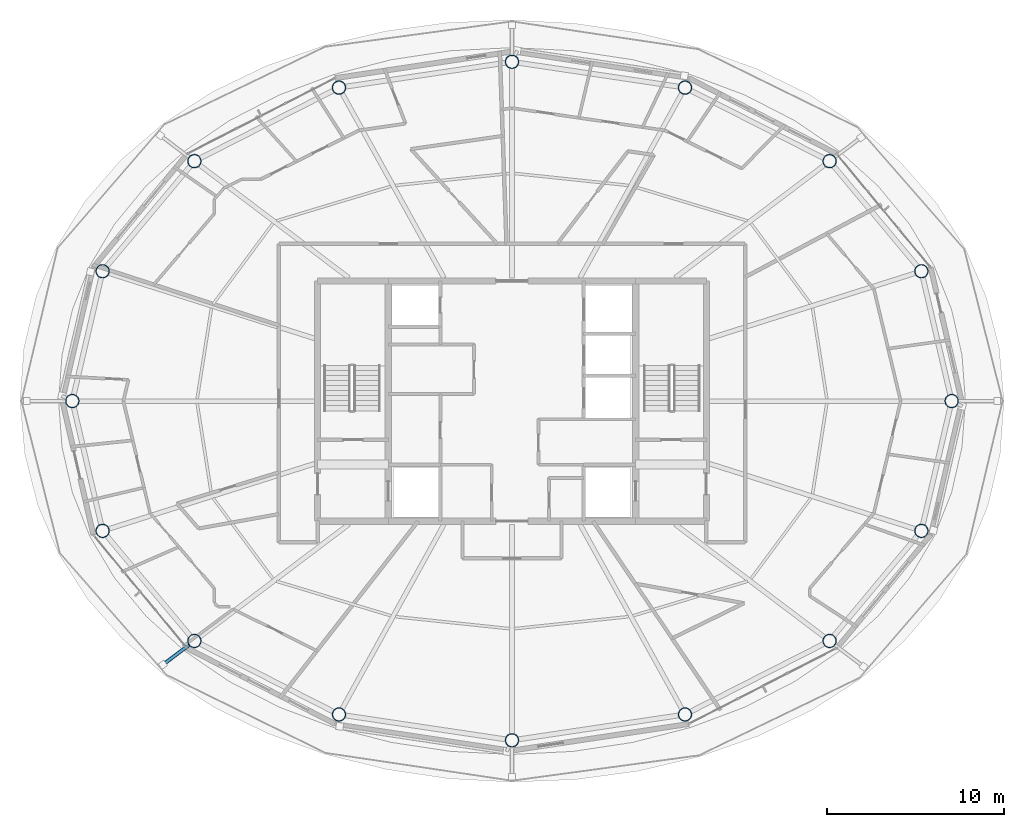
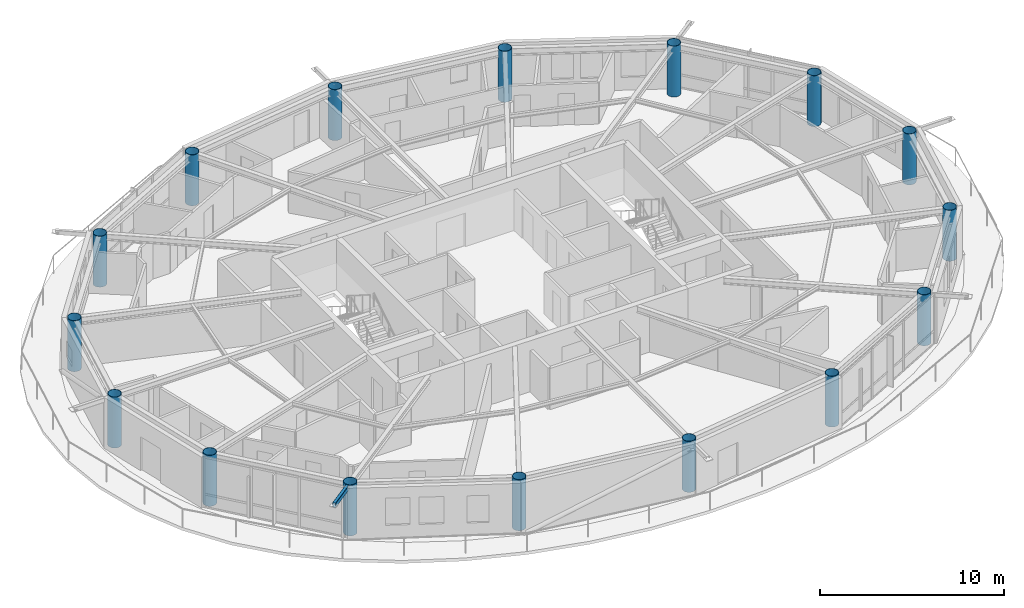
# One storey, part 1 of 22: 16 columns, 1 member.
"""IFC4 building model written with IfcOpenShell, lengths in metres."""

from ifc_helpers import new_model, si_unit, direction, frame, origin, origin_2d, place, context, subcontext, project, spatial, hollow_rectangle, hollow_circle, extrude, material, material_profile, profile_set, type_object, element, save


model = new_model("IFC4")

# Units and contexts
model_context = context("Model", 3, precision=1e-05, world=origin(), true_north=direction((0.0, 1.0)))
body_context = subcontext(model_context, "Body", "Model", "MODEL_VIEW")
ifc_project = project(units=[si_unit("LENGTHUNIT", "METRE"), si_unit("AREAUNIT", "SQUARE_METRE"), si_unit("VOLUMEUNIT", "CUBIC_METRE"), si_unit("PLANEANGLEUNIT", "RADIAN"), si_unit("MASSUNIT", "GRAM", prefix="KILO")], contexts=[model_context])

# Site, building, storey
site_placement = place(None, origin())
site = spatial("IfcSite", under=ifc_project, at=site_placement, CompositionType="ELEMENT")
building_placement = place(site_placement, origin())
building = spatial("IfcBuilding", under=site, at=building_placement, Name="Sarneth Arch Tower", CompositionType="ELEMENT")
storey_placement = place(building_placement, frame((0.0, 0.0, 287.39990234375)))
storey = spatial("IfcBuildingStorey", under=building, at=storey_placement, Name="L74", CompositionType="ELEMENT", Elevation=287.39990234375)

# Columns
ifc_material_1 = material(Name="Steel S355", Category="steel")
ifc_material_profile_1 = material_profile(ifc_material_1, hollow_circle(Radius=0.381103515625, WallThickness=0.02490234375, at=origin_2d()), Name="CHS762x25")
ifc_profile_set_1 = profile_set([ifc_material_profile_1], Name="Steel S355")
column_type = type_object("IfcColumnType", Name="COL-MEGA-762", PredefinedType="COLUMN", material=ifc_profile_set_1)
for number, where, z_axis, x_axis, name in (
    (1, (72.88330078125, 42.0, 0.0), (0.0, 0.0, 1.0), (1.0, 0.0, 0.0), "L74 Perimeter mega-column M01"),
    (2, (71.1689453125, 49.347412109375, 0.0), (0.0, 0.0, 1.0), (1.0, 0.0, 0.0), "L74 Perimeter mega-column M02"),
    (3, (65.975341796875, 55.576416015625, 0.0), (0.0, 0.0, 1.0), (1.0, 0.0, 0.0), "L74 Perimeter mega-column M03"),
    (4, (57.790771484375, 59.738525390625, 0.0), (0.0, 0.0, 1.0), (1.0, 0.0, 0.0), "L74 Perimeter mega-column M04"),
    (5, (48.0, 61.199951171875, 0.0), (0.0, 0.0, 1.0), (1.0, 0.0, 0.0), "L74 Perimeter mega-column M05"),
    (6, (38.209228515625, 59.738525390625, 0.0), (0.0, 0.0, 1.0), (1.0, 0.0, 0.0), "L74 Perimeter mega-column M06"),
    (7, (30.024658203125, 55.576416015625, 0.0), (0.0, 0.0, 1.0), (1.0, 0.0, 0.0), "L74 Perimeter mega-column M07"),
    (8, (24.8310546875, 49.347412109375, 0.0), (0.0, 0.0, 1.0), (1.0, 0.0, 0.0), "L74 Perimeter mega-column M08"),
    (9, (23.11669921875, 42.0, 0.0), (0.0, 0.0, 1.0), (1.0, 0.0, 0.0), "L74 Perimeter mega-column M09"),
    (10, (24.8310546875, 34.652587890625, 0.0), (0.0, 0.0, 1.0), (1.0, 0.0, 0.0), "L74 Perimeter mega-column M10"),
    (11, (30.024658203125, 28.423583984375, 0.0), (0.0, 0.0, 1.0), (1.0, 0.0, 0.0), "L74 Perimeter mega-column M11"),
    (12, (38.209228515625, 24.261474609375, 0.0), (0.0, 0.0, 1.0), (1.0, 0.0, 0.0), "L74 Perimeter mega-column M12"),
    (13, (48.0, 22.800048828125, 0.0), (0.0, 0.0, 1.0), (1.0, 0.0, 0.0), "L74 Perimeter mega-column M13"),
    (14, (57.790771484375, 24.261474609375, 0.0), (0.0, 0.0, 1.0), (1.0, 0.0, 0.0), "L74 Perimeter mega-column M14"),
    (15, (65.975341796875, 28.423583984375, 0.0), (0.0, 0.0, 1.0), (1.0, 0.0, 0.0), "L74 Perimeter mega-column M15"),
    (16, (71.1689453125, 34.652587890625, 0.0), (0.0, 0.0, 1.0), (1.0, 0.0, 0.0), "L74 Perimeter mega-column M16"),
):
    element("IfcColumn", number, at=place(storey_placement, frame(where, z_axis=z_axis, x_axis=x_axis)), inside=storey, type_object=column_type, Name=name, PredefinedType="COLUMN", context=body_context, shape_type="SweptSolid", body=[
        extrude(hollow_circle(Radius=0.381103515625, WallThickness=0.02490234375, at=origin_2d()), origin(), (0.0, 0.0, 1.0), 3.3701171875),
    ])

# Member
ifc_material_2 = material(Name="Steel S355", Category="steel")
ifc_material_profile_2 = material_profile(ifc_material_2, hollow_rectangle(XDim=0.199951171875, YDim=0.300048828125, WallThickness=0.012451171875, InnerFilletRadius=0.018798828125, OuterFilletRadius=0.03125, at=origin_2d()), Name="RHS300x200x12.5")
ifc_profile_set_2 = profile_set([ifc_material_profile_2], Name="Steel S355")
member_type = type_object("IfcMemberType", Name="MEM-CANT-STRUT", PredefinedType="STRUT", material=ifc_profile_set_2)
member_placement = place(storey_placement, frame((29.720703125, 28.19384765625, 3.210205078125), z_axis=(-0.797936439912, -0.602741601237, 0.0), x_axis=(0.602741601237, -0.797936439912, 0.0)))
element("IfcMember", 17, at=member_placement, inside=storey, type_object=member_type, Name="L74 Balcony cantilever bracket 11", PredefinedType="STRUT", context=body_context, shape_type="SweptSolid", body=[
    extrude(hollow_rectangle(XDim=0.199951171875, YDim=0.300048828125, WallThickness=0.012451171875, InnerFilletRadius=0.018798828125, OuterFilletRadius=0.03125, at=origin_2d()), origin(), (0.0, 0.0, 1.0), 1.849853515625),
])

save(model, "model.ifc")
